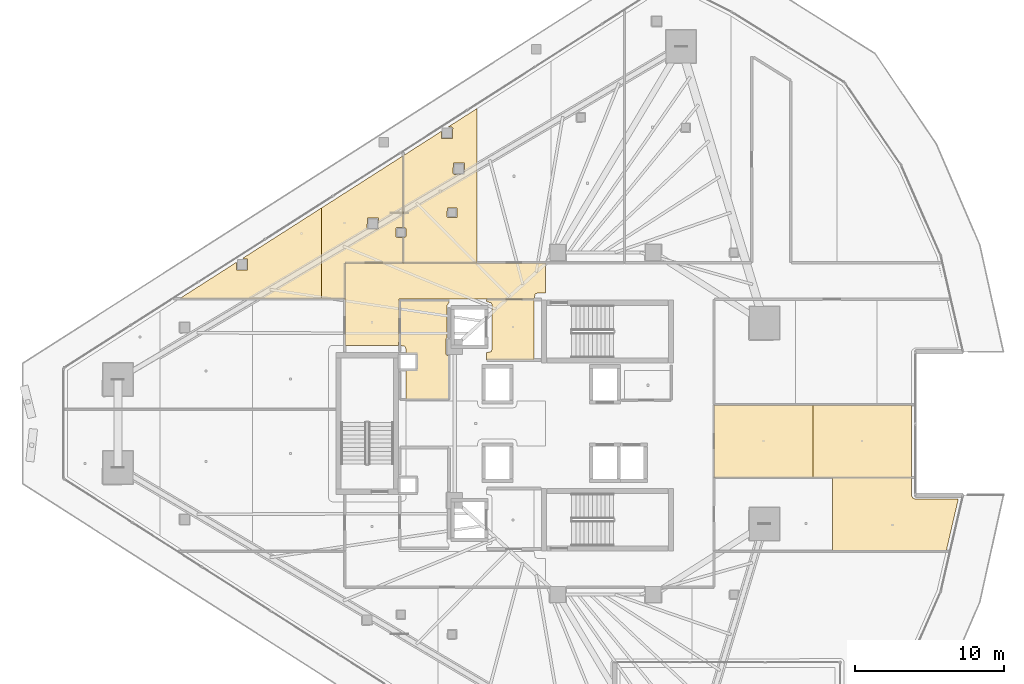
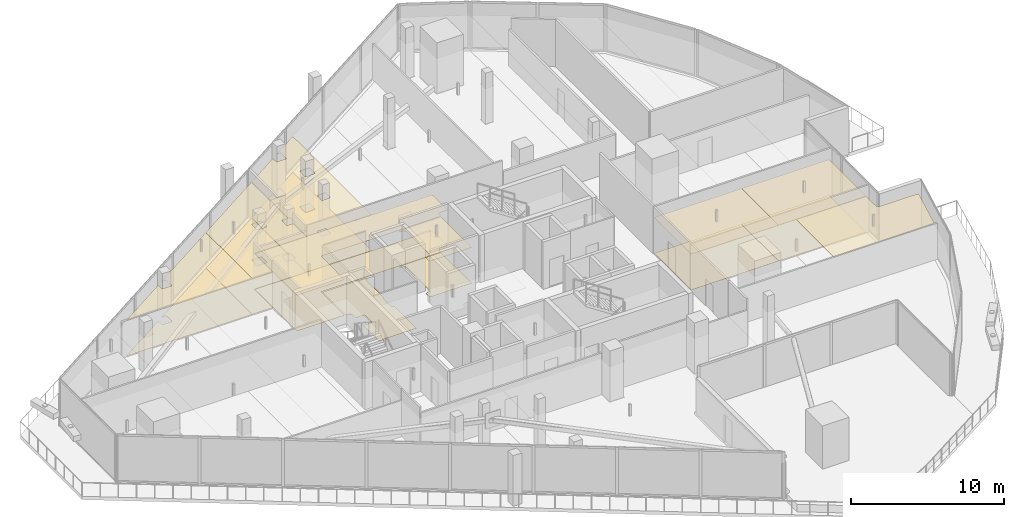
# One storey, part 41 of 43: 16 coverings.
"""IFC4 building model written with IfcOpenShell, lengths in metres."""

from ifc_helpers import new_model, si_unit, direction, frame, origin, place, context, subcontext, project, spatial, polyline, outline, extrude, material, layer, layer_set, type_object, element, save


model = new_model("IFC4")

# Units and contexts
model_context = context("Model", 3, precision=1e-05, world=origin(), true_north=direction((0.0, 1.0)))
body_context = subcontext(model_context, "Body", "Model", "MODEL_VIEW")
ifc_project = project(units=[si_unit("LENGTHUNIT", "METRE"), si_unit("AREAUNIT", "SQUARE_METRE"), si_unit("VOLUMEUNIT", "CUBIC_METRE"), si_unit("PLANEANGLEUNIT", "RADIAN"), si_unit("MASSUNIT", "GRAM", prefix="KILO")], contexts=[model_context])

# Site, building, storey
site_placement = place(None, origin())
site = spatial("IfcSite", under=ifc_project, at=site_placement, CompositionType="ELEMENT")
building_placement = place(site_placement, origin())
building = spatial("IfcBuilding", under=site, at=building_placement, Name="Qorvath Tower", CompositionType="ELEMENT")
storey_placement = place(building_placement, frame((0.0, 0.0, 150.300048828125)))
storey = spatial("IfcBuildingStorey", under=building, at=storey_placement, Name="L34", CompositionType="ELEMENT", Elevation=150.300048828125)

# Coverings
ifc_material_1 = material(Name="Acoustic mineral fibre ceiling tile", Category="gypsum")
ifc_layer_1 = layer(ifc_material_1, 0.030029296875)
ifc_layer_set_1 = layer_set([ifc_layer_1], Name="COV-CEIL")
covering_type_1 = type_object("IfcCoveringType", Name="COV-CEIL", PredefinedType="CEILING", material=ifc_layer_set_1)
covering_1_placement = place(storey_placement, frame((0.0, 0.0, 2.849853515625)))
element("IfcCovering", 1, at=covering_1_placement, inside=storey, type_object=covering_type_1, Name="L34 Suspended Acoustic Ceiling 001", PredefinedType="CEILING", context=body_context, shape_type="SweptSolid", body=[
    extrude(outline(polyline([(-25.18994140625, 4.2548828125), (-25.18994140625, 8.294921875), (-28.375, 8.294921875), (-28.375, 8.159912109375), (-28.063232421875, 8.086669921875), (-27.989990234375, 7.909912109375), (-27.989990234375, 4.989990234375), (-28.063232421875, 4.813232421875), (-28.375, 4.739990234375), (-28.375, 4.2548828125), (-25.18994140625, 4.2548828125)])), origin(), (0.0, 0.0, 1.0), 0.030029296875),
])
covering_2_placement = place(storey_placement, frame((0.0, 0.0, 2.849853515625)))
element("IfcCovering", 2, at=covering_2_placement, inside=storey, type_object=covering_type_1, Name="L34 Suspended Acoustic Ceiling 007", PredefinedType="CEILING", context=body_context, shape_type="SweptSolid", body=[
    extrude(outline(polyline([(-24.421142578125, 8.75), (-24.421142578125, 10.7451171875), (-37.844970703125, 10.7451171875), (-37.844970703125, 5.239990234375), (-34.2509765625, 5.239990234375), (-34.219970703125, 8.324951171875), (-25.18994140625, 8.324951171875), (-25.11669921875, 8.6767578125), (-24.93994140625, 8.75), (-24.421142578125, 8.75)])), origin(), (0.0, 0.0, 1.0), 0.030029296875),
])
covering_3_placement = place(storey_placement, frame((0.0, 0.0, 2.849853515625)))
element("IfcCovering", 3, at=covering_3_placement, inside=storey, type_object=covering_type_1, Name="L34 Suspended Acoustic Ceiling 009", PredefinedType="CEILING", context=body_context, shape_type="SweptSolid", body=[
    extrude(outline(polyline([(-39.41943359375, 8.35498046875), (-39.41943359375, 14.434814453125), (-44.735107421875, 11.037353515625), (-44.368896484375, 11.019775390625), (-44.368896484375, 10.284912109375), (-45.103759765625, 10.284912109375), (-45.121337890625, 10.79052734375), (-48.931884765625, 8.35498046875), (-39.41943359375, 8.35498046875)])), origin(), (0.0, 0.0, 1.0), 0.030029296875),
])
covering_4_placement = place(storey_placement, frame((0.0, 0.0, 2.849853515625)))
element("IfcCovering", 4, at=covering_4_placement, inside=storey, type_object=covering_type_1, Name="L34 Suspended Acoustic Ceiling 010", PredefinedType="CEILING", context=body_context, shape_type="SweptSolid", body=[
    extrude(outline(polyline([(-33.954833984375, 13.12744140625), (-33.954833984375, 17.927490234375), (-39.41943359375, 14.434814453125), (-39.41943359375, 8.35498046875), (-37.863037109375, 8.35498046875), (-37.861572265625, 10.761474609375), (-33.954833984375, 10.762939453125), (-33.954833984375, 12.45751953125), (-34.421630859375, 12.47509765625), (-34.439208984375, 13.0673828125), (-34.379150390625, 13.12744140625), (-33.954833984375, 13.12744140625)]), holes=[polyline([(-36.36572265625, 13.055908203125), (-36.34814453125, 13.748291015625), (-35.61328125, 13.748291015625), (-35.61328125, 13.013427734375), (-36.3056640625, 12.995849609375), (-36.36572265625, 13.055908203125)])]), origin(), (0.0, 0.0, 1.0), 0.030029296875),
])
covering_5_placement = place(storey_placement, frame((0.0, 0.0, 2.849853515625)))
element("IfcCovering", 5, at=covering_5_placement, inside=storey, type_object=covering_type_1, Name="L34 Suspended Acoustic Ceiling 011", PredefinedType="CEILING", context=body_context, shape_type="SweptSolid", body=[
    extrude(outline(polyline([(-29.003662109375, 10.762939453125), (-29.003662109375, 21.091796875), (-30.953857421875, 19.845458984375), (-30.691162109375, 19.845458984375), (-30.631103515625, 19.785400390625), (-30.648681640625, 19.093017578125), (-31.383544921875, 19.093017578125), (-31.401123046875, 19.5595703125), (-33.936767578125, 17.93896484375), (-33.936767578125, 13.12744140625), (-33.769287109375, 13.0673828125), (-33.769287109375, 12.517578125), (-33.936767578125, 12.45751953125), (-33.936767578125, 10.762939453125), (-29.003662109375, 10.762939453125)]), holes=[polyline([(-30.60986328125, 16.734619140625), (-30.59228515625, 17.427001953125), (-29.857421875, 17.427001953125), (-29.857421875, 16.692138671875), (-30.5498046875, 16.674560546875), (-30.60986328125, 16.734619140625)]), polyline([(-31.01220703125, 13.849365234375), (-30.99462890625, 14.441650390625), (-30.35986328125, 14.441650390625), (-30.35986328125, 13.806884765625), (-30.9521484375, 13.789306640625), (-31.01220703125, 13.849365234375)])]), origin(), (0.0, 0.0, 1.0), 0.030029296875),
])
covering_6_placement = place(storey_placement, frame((0.0, 0.0, 2.849853515625)))
element("IfcCovering", 6, at=covering_6_placement, inside=storey, type_object=covering_type_1, Name="L34 Suspended Acoustic Ceiling 021", PredefinedType="CEILING", context=body_context, shape_type="SweptSolid", body=[
    extrude(outline(polyline([(0.177001953125, -4.990966796875), (0.089599609375, -4.843994140625), (0.084716796875, -3.623779296875), (-5.210693359375, -3.623779296875), (-5.210693359375, -8.537109375), (2.408203125, -8.537109375), (3.2158203125, -5.05029296875), (0.315185546875, -5.049072265625), (0.177001953125, -4.990966796875)])), origin(), (0.0, 0.0, 1.0), 0.030029296875),
])
covering_7_placement = place(storey_placement, frame((0.0, 0.0, 2.849853515625)))
element("IfcCovering", 7, at=covering_7_placement, inside=storey, type_object=covering_type_1, Name="L34 Suspended Acoustic Ceiling 022", PredefinedType="CEILING", context=body_context, shape_type="SweptSolid", body=[
    extrude(outline(polyline([(-13.136962890625, -3.60595703125), (-6.526123046875, -3.60595703125), (-6.526123046875, 1.247314453125), (-13.136962890625, 1.247314453125), (-13.136962890625, -3.60595703125)])), origin(), (0.0, 0.0, 1.0), 0.030029296875),
])
covering_8_placement = place(storey_placement, frame((0.0, 0.0, 2.849853515625)))
element("IfcCovering", 8, at=covering_8_placement, inside=storey, type_object=covering_type_1, Name="L34 Suspended Acoustic Ceiling 023", PredefinedType="CEILING", context=body_context, shape_type="SweptSolid", body=[
    extrude(outline(polyline([(-6.526123046875, 1.247314453125), (-6.526123046875, -3.60595703125), (0.084716796875, -3.60595703125), (0.084716796875, 1.247314453125), (-6.526123046875, 1.247314453125)])), origin(), (0.0, 0.0, 1.0), 0.030029296875),
])
ifc_material_2 = material(Name="Low-VOC modular carpet tile", Category="textile")
ifc_layer_2 = layer(ifc_material_2, 0.014892578125)
ifc_layer_set_2 = layer_set([ifc_layer_2], Name="COV-FLOOR-CPT")
covering_type_2 = type_object("IfcCoveringType", Name="COV-FLOOR-CPT", PredefinedType="FLOORING", material=ifc_layer_set_2)
covering_9_placement = place(storey_placement, origin())
element("IfcCovering", 9, at=covering_9_placement, inside=storey, type_object=covering_type_2, Name="L34 Floor Finish 009", PredefinedType="FLOORING", context=body_context, shape_type="SweptSolid", body=[
    extrude(outline(polyline([(-39.41943359375, 8.35498046875), (-39.41943359375, 14.434814453125), (-44.735107421875, 11.037353515625), (-44.368896484375, 11.019775390625), (-44.368896484375, 10.284912109375), (-45.103759765625, 10.284912109375), (-45.121337890625, 10.79052734375), (-48.931884765625, 8.35498046875), (-39.41943359375, 8.35498046875)])), origin(), (0.0, 0.0, 1.0), 0.014892578125),
])
covering_10_placement = place(storey_placement, origin())
element("IfcCovering", 10, at=covering_10_placement, inside=storey, type_object=covering_type_2, Name="L34 Floor Finish 010", PredefinedType="FLOORING", context=body_context, shape_type="SweptSolid", body=[
    extrude(outline(polyline([(-33.954833984375, 13.12744140625), (-33.954833984375, 17.927490234375), (-39.41943359375, 14.434814453125), (-39.41943359375, 8.35498046875), (-37.863037109375, 8.35498046875), (-37.861572265625, 10.761474609375), (-33.954833984375, 10.762939453125), (-33.954833984375, 12.45751953125), (-34.421630859375, 12.47509765625), (-34.439208984375, 13.0673828125), (-34.379150390625, 13.12744140625), (-33.954833984375, 13.12744140625)]), holes=[polyline([(-36.36572265625, 13.055908203125), (-36.34814453125, 13.748291015625), (-35.61328125, 13.748291015625), (-35.61328125, 13.013427734375), (-36.3056640625, 12.995849609375), (-36.36572265625, 13.055908203125)])]), origin(), (0.0, 0.0, 1.0), 0.014892578125),
])
covering_11_placement = place(storey_placement, origin())
element("IfcCovering", 11, at=covering_11_placement, inside=storey, type_object=covering_type_2, Name="L34 Floor Finish 011", PredefinedType="FLOORING", context=body_context, shape_type="SweptSolid", body=[
    extrude(outline(polyline([(-29.003662109375, 10.762939453125), (-29.003662109375, 21.091796875), (-30.953857421875, 19.845458984375), (-30.691162109375, 19.845458984375), (-30.631103515625, 19.785400390625), (-30.648681640625, 19.093017578125), (-31.383544921875, 19.093017578125), (-31.401123046875, 19.5595703125), (-33.936767578125, 17.93896484375), (-33.936767578125, 13.12744140625), (-33.769287109375, 13.0673828125), (-33.769287109375, 12.517578125), (-33.936767578125, 12.45751953125), (-33.936767578125, 10.762939453125), (-29.003662109375, 10.762939453125)]), holes=[polyline([(-30.60986328125, 16.734619140625), (-30.59228515625, 17.427001953125), (-29.857421875, 17.427001953125), (-29.857421875, 16.692138671875), (-30.5498046875, 16.674560546875), (-30.60986328125, 16.734619140625)]), polyline([(-31.01220703125, 13.849365234375), (-30.99462890625, 14.441650390625), (-30.35986328125, 14.441650390625), (-30.35986328125, 13.806884765625), (-30.9521484375, 13.789306640625), (-31.01220703125, 13.849365234375)])]), origin(), (0.0, 0.0, 1.0), 0.014892578125),
])
covering_12_placement = place(storey_placement, origin())
element("IfcCovering", 12, at=covering_12_placement, inside=storey, type_object=covering_type_2, Name="L34 Floor Finish 022", PredefinedType="FLOORING", context=body_context, shape_type="SweptSolid", body=[
    extrude(outline(polyline([(-13.136962890625, -3.60595703125), (-6.526123046875, -3.60595703125), (-6.526123046875, 1.247314453125), (-13.136962890625, 1.247314453125), (-13.136962890625, -3.60595703125)])), origin(), (0.0, 0.0, 1.0), 0.014892578125),
])
covering_13_placement = place(storey_placement, origin())
element("IfcCovering", 13, at=covering_13_placement, inside=storey, type_object=covering_type_2, Name="L34 Floor Finish 023", PredefinedType="FLOORING", context=body_context, shape_type="SweptSolid", body=[
    extrude(outline(polyline([(-6.526123046875, 1.247314453125), (-6.526123046875, -3.60595703125), (0.084716796875, -3.60595703125), (0.084716796875, 1.247314453125), (-6.526123046875, 1.247314453125)])), origin(), (0.0, 0.0, 1.0), 0.014892578125),
])
ifc_material_3 = material(Name="Polished epoxy terrazzo flooring", Category="concrete")
ifc_layer_3 = layer(ifc_material_3, 0.02001953125)
ifc_layer_set_3 = layer_set([ifc_layer_3], Name="COV-FLOOR-TRZ")
covering_type_3 = type_object("IfcCoveringType", Name="COV-FLOOR-TRZ", PredefinedType="FLOORING", material=ifc_layer_set_3)
covering_14_placement = place(storey_placement, origin())
element("IfcCovering", 14, at=covering_14_placement, inside=storey, type_object=covering_type_3, Name="L34 Floor Finish 001", PredefinedType="FLOORING", context=body_context, shape_type="SweptSolid", body=[
    extrude(outline(polyline([(-25.18994140625, 4.2548828125), (-25.18994140625, 8.294921875), (-28.375, 8.294921875), (-28.375, 8.159912109375), (-28.063232421875, 8.086669921875), (-27.989990234375, 7.909912109375), (-27.989990234375, 4.989990234375), (-28.063232421875, 4.813232421875), (-28.375, 4.739990234375), (-28.375, 4.2548828125), (-25.18994140625, 4.2548828125)])), origin(), (0.0, 0.0, 1.0), 0.014892578125),
])
covering_15_placement = place(storey_placement, origin())
element("IfcCovering", 15, at=covering_15_placement, inside=storey, type_object=covering_type_3, Name="L34 Floor Finish 004", PredefinedType="FLOORING", context=body_context, shape_type="SweptSolid", body=[
    extrude(outline(polyline([(-30.885009765625, 8.2451171875), (-34.175048828125, 8.2451171875), (-34.175048828125, 5.239990234375), (-33.833251953125, 5.166748046875), (-33.760009765625, 4.989990234375), (-33.760009765625, 4.633056640625), (-33.0869140625, 4.6279296875), (-33.08837890625, 3.638427734375), (-33.760009765625, 3.636962890625), (-33.760009765625, 1.60498046875), (-30.885009765625, 1.60498046875), (-30.885009765625, 4.56494140625), (-31.02490234375, 4.56494140625), (-31.0849609375, 4.625), (-31.0849609375, 5.675048828125), (-31.010009765625, 5.735107421875), (-31.010009765625, 7.909912109375), (-30.885009765625, 8.108154296875), (-30.885009765625, 8.2451171875)])), origin(), (0.0, 0.0, 1.0), 0.014892578125),
])
covering_16_placement = place(storey_placement, origin())
element("IfcCovering", 16, at=covering_16_placement, inside=storey, type_object=covering_type_3, Name="L34 Floor Finish 007", PredefinedType="FLOORING", context=body_context, shape_type="SweptSolid", body=[
    extrude(outline(polyline([(-24.421142578125, 8.75), (-24.421142578125, 10.7451171875), (-37.844970703125, 10.7451171875), (-37.844970703125, 5.239990234375), (-34.2509765625, 5.239990234375), (-34.219970703125, 8.324951171875), (-25.18994140625, 8.324951171875), (-25.11669921875, 8.6767578125), (-24.93994140625, 8.75), (-24.421142578125, 8.75)])), origin(), (0.0, 0.0, 1.0), 0.014892578125),
])

save(model, "model.ifc")
